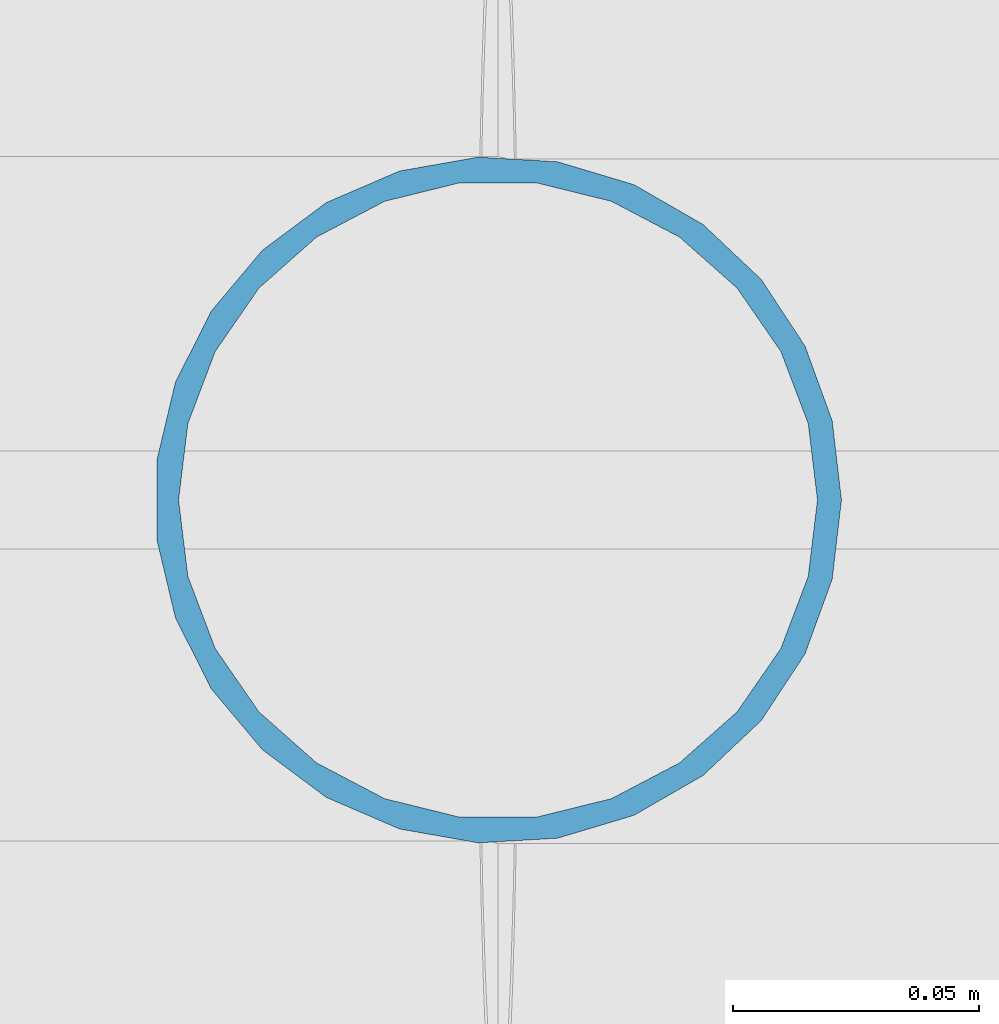
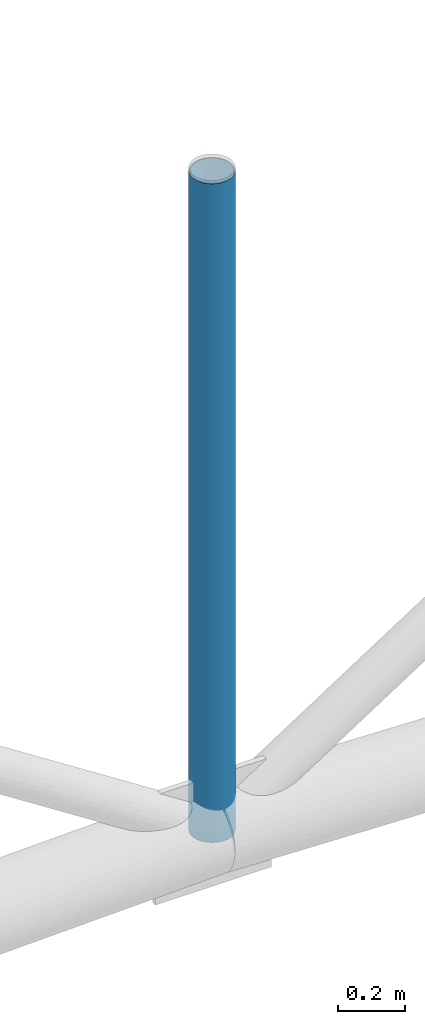
# One storey, part 137 of 321: 1 member.
"""IFC4 building model written with IfcOpenShell, lengths in metres."""

from ifc_helpers import new_model, si_unit, direction, frame, origin, origin_2d, place, context, subcontext, project, spatial, hollow_circle, extrude, material, material_profile, profile_set, type_object, element, save


model = new_model("IFC4")

# Units and contexts
model_context = context("Model", 3, precision=1e-05, world=origin(), true_north=direction((0.0, 1.0)))
body_context = subcontext(model_context, "Body", "Model", "MODEL_VIEW")
ifc_project = project(units=[si_unit("LENGTHUNIT", "METRE"), si_unit("AREAUNIT", "SQUARE_METRE"), si_unit("VOLUMEUNIT", "CUBIC_METRE"), si_unit("PLANEANGLEUNIT", "RADIAN"), si_unit("MASSUNIT", "GRAM", prefix="KILO")], contexts=[model_context])

# Site, building, storey
site_placement = place(None, origin())
site = spatial("IfcSite", under=ifc_project, at=site_placement, CompositionType="ELEMENT")
building_placement = place(site_placement, origin())
building = spatial("IfcBuilding", under=site, at=building_placement, Name="Ravi Spectrum Wholesale Market", CompositionType="ELEMENT")
storey_placement = place(building_placement, frame((0.0, 0.0, 10.800048828125)))
storey = spatial("IfcBuildingStorey", under=building, at=storey_placement, Name="L02", CompositionType="ELEMENT", Elevation=10.800048828125)

# Member
ifc_material = material(Name="Steel S355", Category="steel")
ifc_material_profile = material_profile(ifc_material, hollow_circle(Radius=0.06982421875, WallThickness=0.0048828125, at=origin_2d()))
ifc_profile_set = profile_set([ifc_material_profile], Name="Steel S355")
member_type = type_object("IfcMemberType", Name="CHS 139.7x5 post", PredefinedType="POST", material=ifc_profile_set)
member_placement = place(storey_placement, frame((174.0, 114.0, 5.39990234375), z_axis=(0.0, 0.0, -1.0), x_axis=(1.0, 0.0, 0.0)))
element("IfcMember", 1, at=member_placement, inside=storey, type_object=member_type, Name="H2-MB-L02-203", PredefinedType="POST", context=body_context, shape_type="SweptSolid", body=[
    extrude(hollow_circle(Radius=0.06982421875, WallThickness=0.0048828125, at=origin_2d()), origin(), (0.0, 0.0, 1.0), 2.39990234375),
])

save(model, "model.ifc")
